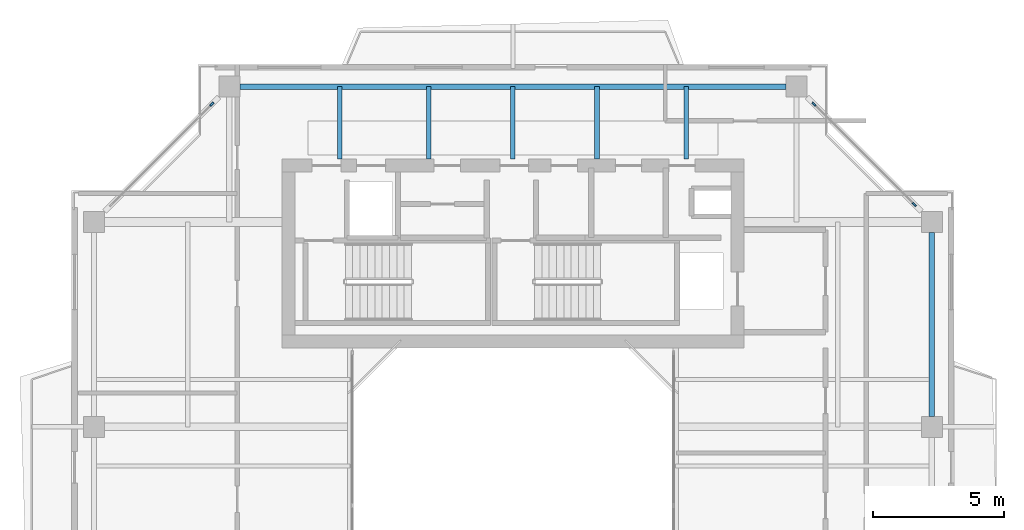
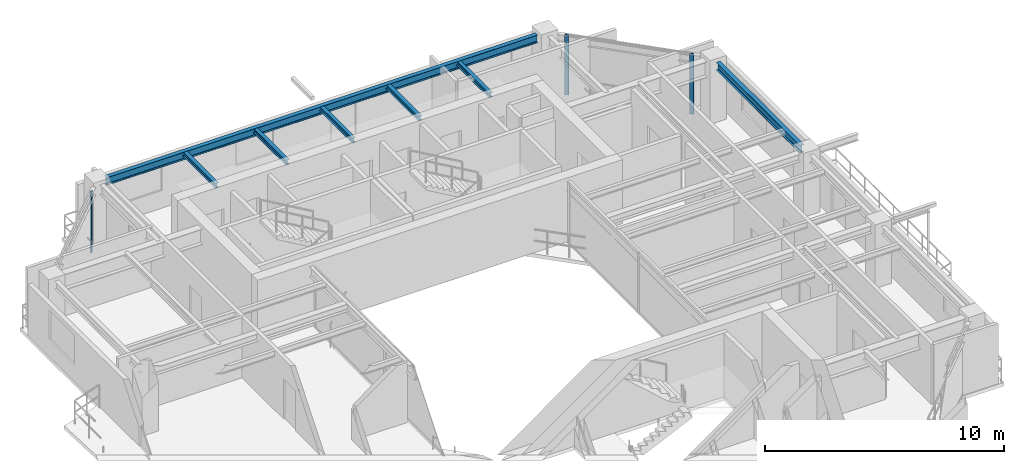
# One storey, part 8 of 15: 7 beams, 3 members, 2 elements without a shape of their own.
"""IFC4 building model written with IfcOpenShell, lengths in metres."""

from ifc_helpers import new_model, si_unit, direction, frame, origin, origin_2d, place, context, subcontext, project, spatial, rectangle, i_section, extrude, source, transform, mapped, material, layer, layer_set, material_profile, profile_set, type_object, element, aggregate, save


model = new_model("IFC4")

# Units and contexts
model_context = context("Model", 3, precision=1e-05, world=origin(), true_north=direction((0.0, 1.0)))
body_context = subcontext(model_context, "Body", "Model", "MODEL_VIEW")
ifc_project = project(units=[si_unit("LENGTHUNIT", "METRE"), si_unit("AREAUNIT", "SQUARE_METRE"), si_unit("VOLUMEUNIT", "CUBIC_METRE"), si_unit("PLANEANGLEUNIT", "RADIAN"), si_unit("MASSUNIT", "GRAM", prefix="KILO"), si_unit("THERMODYNAMICTEMPERATUREUNIT", "KELVIN"), si_unit("POWERUNIT", "WATT")], contexts=[model_context])

# Site, building, storey
site_placement = place(None, origin())
site = spatial("IfcSite", under=ifc_project, at=site_placement, CompositionType="ELEMENT")
building_placement = place(site_placement, origin())
building = spatial("IfcBuilding", under=site, at=building_placement, Name="Qiaomeng Ring Towers", CompositionType="ELEMENT")
storey_placement = place(building_placement, frame((0.0, 0.0, 219.75)))
storey = spatial("IfcBuildingStorey", under=building, at=storey_placement, Name="L64", CompositionType="ELEMENT", Elevation=219.75)

# Beams
ifc_material_1 = material(Name="Steel Q355B", Category="steel")
ifc_material_profile_1 = material_profile(ifc_material_1, i_section(OverallWidth=0.198974609375, OverallDepth=0.39599609375, WebThickness=0.007080078125, FlangeThickness=0.010986328125, FilletRadius=0.01611328125, at=origin_2d()), Name="HN 396x199x7x11")
ifc_profile_set_1 = profile_set([ifc_material_profile_1], Name="Steel Q355B")
beam_type_1 = type_object("IfcBeamType", Name="STR-BM-HN396", PredefinedType="SPANDREL", material=ifc_profile_set_1)
shared_shape_1 = source(origin(), body_context, "Body", "SweptSolid", [
    extrude(i_section(OverallWidth=0.198974609375, OverallDepth=0.39599609375, WebThickness=0.007080078125, FlangeThickness=0.010986328125, FilletRadius=0.01611328125, at=origin_2d()), origin(), (0.0, 0.0, 1.0), 20.8017578125),
])
beam_1_placement = place(storey_placement, frame((29.40087890625, 38.949951171875, 2.8720703125), z_axis=(-1.0, 0.0, 0.0), x_axis=(0.0, -1.0, 0.0)))
element("IfcBeam", 1, at=beam_1_placement, inside=storey, type_object=beam_type_1, Name="L64 beam STR-SP-L64-T1-N2-N1", PredefinedType="SPANDREL", context=body_context, shape_type="MappedRepresentation", body=[
    mapped(shared_shape_1, transform((0.0, 0.0, 0.0), x_axis=(1.0, 0.0, 0.0), y_axis=(0.0, 1.0, 0.0), z_axis=(0.0, 0.0, 1.0), scale=1.0)),
])
shared_shape_2 = source(origin(), body_context, "Body", "SweptSolid", [
    extrude(i_section(OverallWidth=0.198974609375, OverallDepth=0.39599609375, WebThickness=0.007080078125, FlangeThickness=0.010986328125, FilletRadius=0.01611328125, at=origin_2d()), origin(), (0.0, 0.0, 1.0), 7.001953125),
])
beam_2_placement = place(storey_placement, frame((34.949951171875, 26.39892578125, 2.8720703125), z_axis=(0.0, 1.0, 0.0), x_axis=(-1.0, 0.0, 0.0)))
element("IfcBeam", 2, at=beam_2_placement, inside=storey, type_object=beam_type_1, Name="L64 beam STR-SP-L64-T1-E3-E4", PredefinedType="SPANDREL", context=body_context, shape_type="MappedRepresentation", body=[
    mapped(shared_shape_2, transform((0.0, 0.0, 0.0), x_axis=(1.0, 0.0, 0.0), y_axis=(0.0, 1.0, 0.0), z_axis=(0.0, 0.0, 1.0), scale=1.0)),
])
ifc_material_profile_2 = material_profile(ifc_material_1, i_section(OverallWidth=0.175048828125, OverallDepth=0.243896484375, WebThickness=0.007080078125, FlangeThickness=0.010986328125, FilletRadius=0.01611328125, at=origin_2d()), Name="HM 244x175x7x11")
ifc_profile_set_2 = profile_set([ifc_material_profile_2], Name="Steel Q355B")
beam_type_2 = type_object("IfcBeamType", Name="STR-BM-HM244", PredefinedType="JOIST", material=ifc_profile_set_2)
shared_shape_3 = source(origin(), body_context, "Body", "SweptSolid", [
    extrude(i_section(OverallWidth=0.175048828125, OverallDepth=0.243896484375, WebThickness=0.007080078125, FlangeThickness=0.010986328125, FilletRadius=0.01611328125, at=origin_2d()), origin(), (0.0, 0.0, 1.0), 2.75),
])
for number, where, z_axis, x_axis, name in (
    (3, (12.39990234375, 36.199951171875, 2.947998046875), (0.0, 1.0, 0.0), (-1.0, 0.0, 0.0), "L64 beam STR-JST-L64-T1N-1"),
    (4, (15.800048828125, 36.199951171875, 2.947998046875), (0.0, 1.0, 0.0), (-1.0, 0.0, 0.0), "L64 beam STR-JST-L64-T1N-2"),
    (5, (19.0, 36.199951171875, 2.947998046875), (0.0, 1.0, 0.0), (-1.0, 0.0, 0.0), "L64 beam STR-JST-L64-T1N-3"),
    (6, (22.199951171875, 36.199951171875, 2.947998046875), (0.0, 1.0, 0.0), (-1.0, 0.0, 0.0), "L64 beam STR-JST-L64-T1N-4"),
    (7, (25.60009765625, 36.199951171875, 2.947998046875), (0.0, 1.0, 0.0), (-1.0, 0.0, 0.0), "L64 beam STR-JST-L64-T1N-5"),
):
    element("IfcBeam", number, at=place(storey_placement, frame(where, z_axis=z_axis, x_axis=x_axis)), inside=storey, type_object=beam_type_2, Name=name, PredefinedType="JOIST", context=body_context, shape_type="MappedRepresentation", body=[
        mapped(shared_shape_3, transform((0.0, 0.0, 0.0), x_axis=(1.0, 0.0, 0.0), y_axis=(0.0, 1.0, 0.0), z_axis=(0.0, 0.0, 1.0), scale=1.0)),
    ])

# Curtain wall, members
ifc_material_2 = material(Name="Fluorocarbon dark-grey aluminium", Category="aluminium")
ifc_layer = layer(ifc_material_2, 0.14990234375, Name="Fluorocarbon dark-grey aluminium")
ifc_layer_set = layer_set([ifc_layer], Name="Fluorocarbon dark-grey aluminium")
curtain_wall_type = type_object("IfcCurtainWallType", Name="ARC-CW-3", PredefinedType="NOTDEFINED", material=ifc_layer_set)
curtain_wall_1_placement = place(storey_placement, origin())
curtain_wall_1 = element("IfcCurtainWall", 8, at=curtain_wall_1_placement, inside=storey, type_object=curtain_wall_type, Name="L64 Curtain Wall CW3", PredefinedType="NOTDEFINED")
ifc_material_profile_3 = material_profile(ifc_material_2, rectangle(XDim=0.070068359375, YDim=0.179931640625, at=origin_2d()), Name="ALU MULL 70x180")
ifc_profile_set_3 = profile_set([ifc_material_profile_3], Name="Fluorocarbon dark-grey aluminium")
member_type = type_object("IfcMemberType", Name="ARC-CWM-160", PredefinedType="MULLION", material=ifc_profile_set_3)
shared_shape_4 = source(origin(), body_context, "Body", "SweptSolid", [
    extrude(rectangle(XDim=0.070068359375, YDim=0.179931640625, at=origin_2d()), origin(), (0.0, 0.0, 1.0), 3.070068359375),
])
member_1_placement = place(storey_placement, frame((34.28515625, 34.46484375, 0.0), z_axis=(0.0, 0.0, 1.0), x_axis=(-0.707106781187, -0.707106781187, 0.0)))
member_1 = element("IfcMember", 9, at=member_1_placement, type_object=member_type, Name="CW3 mullion 1", PredefinedType="MULLION", context=body_context, shape_type="MappedRepresentation", body=[
    mapped(shared_shape_4, transform((0.0, 0.0, 0.0), x_axis=(1.0, 0.0, 0.0), y_axis=(0.0, 1.0, 0.0), z_axis=(0.0, 0.0, 1.0), scale=1.0)),
])
member_2_placement = place(storey_placement, frame((30.46484375, 38.28515625, 0.0), z_axis=(0.0, 0.0, 1.0), x_axis=(-0.707106781187, -0.707106781187, 0.0)))
member_2 = element("IfcMember", 10, at=member_2_placement, type_object=member_type, Name="CW3 mullion 2", PredefinedType="MULLION", context=body_context, shape_type="MappedRepresentation", body=[
    mapped(shared_shape_4, transform((0.0, 0.0, 0.0), x_axis=(1.0, 0.0, 0.0), y_axis=(0.0, 1.0, 0.0), z_axis=(0.0, 0.0, 1.0), scale=1.0)),
])
aggregate(curtain_wall_1, [member_1, member_2])

# Curtain wall, member
curtain_wall_2_placement = place(storey_placement, origin())
curtain_wall_2 = element("IfcCurtainWall", 11, at=curtain_wall_2_placement, inside=storey, type_object=curtain_wall_type, Name="L64 Curtain Wall CW3", PredefinedType="NOTDEFINED")
member_3_placement = place(storey_placement, frame((7.53515625, 38.28515625, 0.0), z_axis=(0.0, 0.0, 1.0), x_axis=(0.707106781187, -0.707106781187, 0.0)))
member_3 = element("IfcMember", 12, at=member_3_placement, type_object=member_type, Name="CW3 mullion 1", PredefinedType="MULLION", context=body_context, shape_type="MappedRepresentation", body=[
    mapped(shared_shape_4, transform((0.0, 0.0, 0.0), x_axis=(1.0, 0.0, 0.0), y_axis=(0.0, 1.0, 0.0), z_axis=(0.0, 0.0, 1.0), scale=1.0)),
])
aggregate(curtain_wall_2, [member_3])

save(model, "model.ifc")
